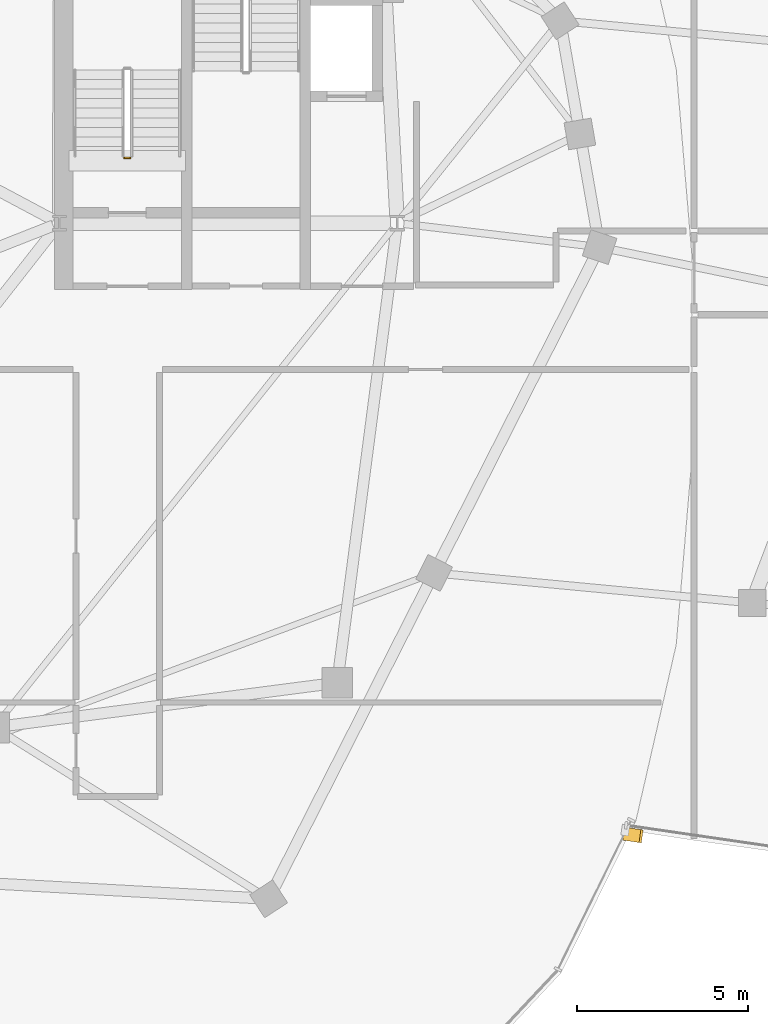
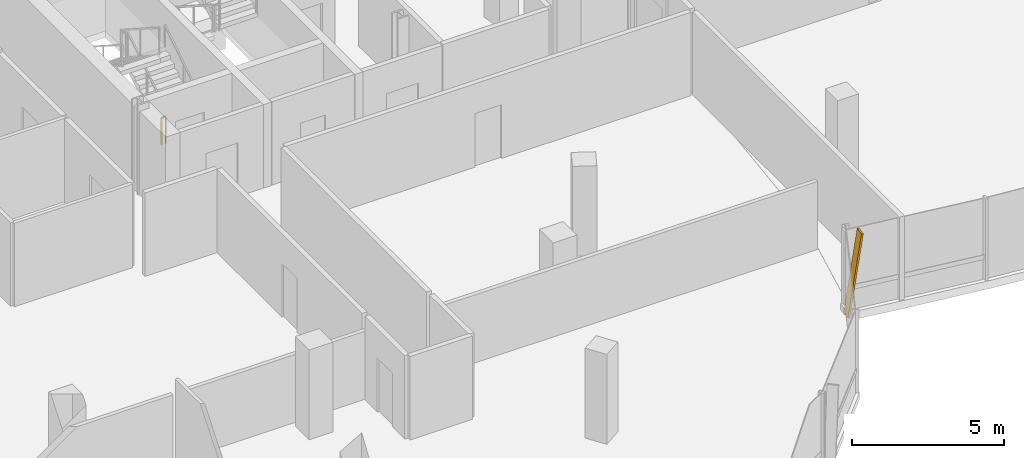
# One storey, part 21 of 25: 1 railing, 1 shading device.
"""IFC4 building model written with IfcOpenShell, lengths in metres."""

from ifc_helpers import new_model, si_unit, direction, frame, origin, origin_2d, place, context, subcontext, project, spatial, rectangle, extrude, material, material_profile, profile_set, type_object, element, save


model = new_model("IFC4")

# Units and contexts
model_context = context("Model", 3, precision=1e-05, world=origin(), true_north=direction((0.0, 1.0)))
body_context = subcontext(model_context, "Body", "Model", "MODEL_VIEW")
ifc_project = project(units=[si_unit("LENGTHUNIT", "METRE"), si_unit("AREAUNIT", "SQUARE_METRE"), si_unit("VOLUMEUNIT", "CUBIC_METRE"), si_unit("PLANEANGLEUNIT", "RADIAN"), si_unit("MASSUNIT", "GRAM", prefix="KILO"), si_unit("THERMODYNAMICTEMPERATUREUNIT", "KELVIN"), si_unit("POWERUNIT", "WATT")], contexts=[model_context])

# Site, building, storey
site_placement = place(None, origin())
site = spatial("IfcSite", under=ifc_project, at=site_placement, CompositionType="ELEMENT")
building_placement = place(site_placement, origin())
building = spatial("IfcBuilding", under=site, at=building_placement, Name="Cundina Bronze Exchange", CompositionType="ELEMENT")
storey_placement = place(building_placement, frame((0.0, 0.0, 254.0)))
storey = spatial("IfcBuildingStorey", under=building, at=storey_placement, Name="L67", CompositionType="ELEMENT", Elevation=254.0)

# Railing
ifc_material_1 = material(Name="Steel ASTM A36 Painted", Category="steel")
railing_type = type_object("IfcRailingType", Name="RLG-STG-1100", PredefinedType="GUARDRAIL", material=ifc_material_1)
railing_placement = place(storey_placement, frame((-29.239990234375, 5.800048828125, 0.0)))
element("IfcRailing", 1, at=railing_placement, inside=storey, type_object=railing_type, Name="L67 ST-W1 stair guard 4", PredefinedType="GUARDRAIL", context=body_context, shape_type="SweptSolid", body=[
    extrude(rectangle(XDim=0.048095703125, YDim=0.048095703125, at=origin_2d()), frame((0.0, 0.0, 1.076171875), z_axis=(-1.0, 0.0, 0.0), x_axis=(0.0, -1.0, 0.0)), (0.0, 0.0, 1.0), 0.159912109375),
    extrude(rectangle(XDim=0.0419921875, YDim=0.0419921875, at=origin_2d()), origin(), (0.0, 0.0, 1.0), 1.052001953125),
    extrude(rectangle(XDim=0.0419921875, YDim=0.0419921875, at=origin_2d()), frame((-0.159912109375, 0.0, 0.0)), (0.0, 0.0, 1.0), 1.052001953125),
])

# Shading device
ifc_material_2 = material(Name="Anodised Bronze Aluminium 6063-T6", Category="aluminium")
ifc_material_profile = material_profile(ifc_material_2, rectangle(XDim=0.070068359375, YDim=0.3798828125, at=origin_2d()), Name="FIN70X380", Category="aluminium")
ifc_profile_set = profile_set([ifc_material_profile], Name="Anodised Bronze Aluminium 6063-T6")
shading_device_type = type_object("IfcShadingDeviceType", Name="SHD-FIN-BRZ380", PredefinedType="USERDEFINED", material=ifc_profile_set)
shading_device_placement = place(storey_placement, frame((-14.8154296875, -13.90625, 0.02001953125), z_axis=(0.145051508968, -0.021168873868, 0.989197623595), x_axis=(-0.978828704224, 0.142850643371, 0.1465880673)))
element("IfcShadingDevice", 2, at=shading_device_placement, inside=storey, type_object=shading_device_type, Name="L67 Diagonal Bronze Solar Fin 1", ObjectType="FIN", PredefinedType="USERDEFINED", context=body_context, shape_type="SweptSolid", body=[
    extrude(rectangle(XDim=0.070068359375, YDim=0.3798828125, at=origin_2d()), origin(), (0.0, 0.0, 1.0), 3.275390625),
])

save(model, "model.ifc")
